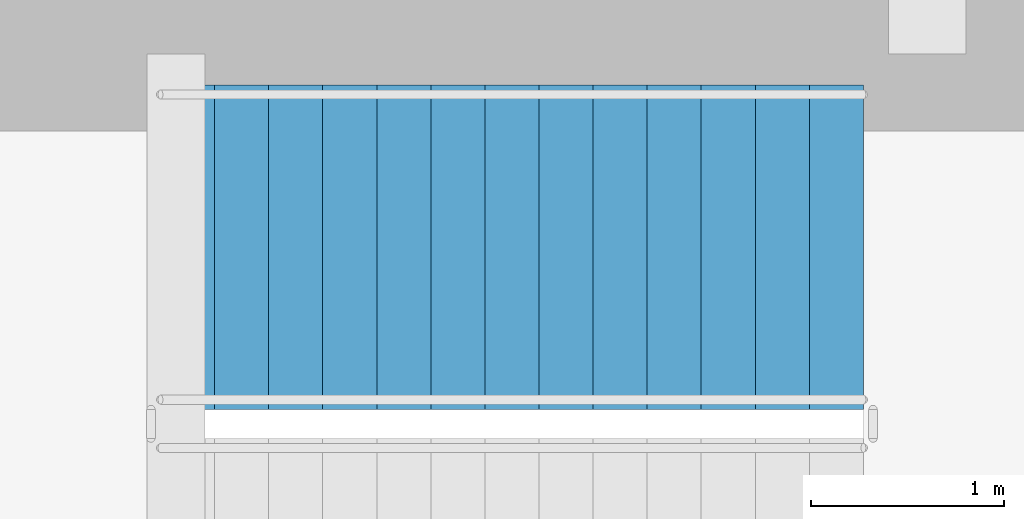
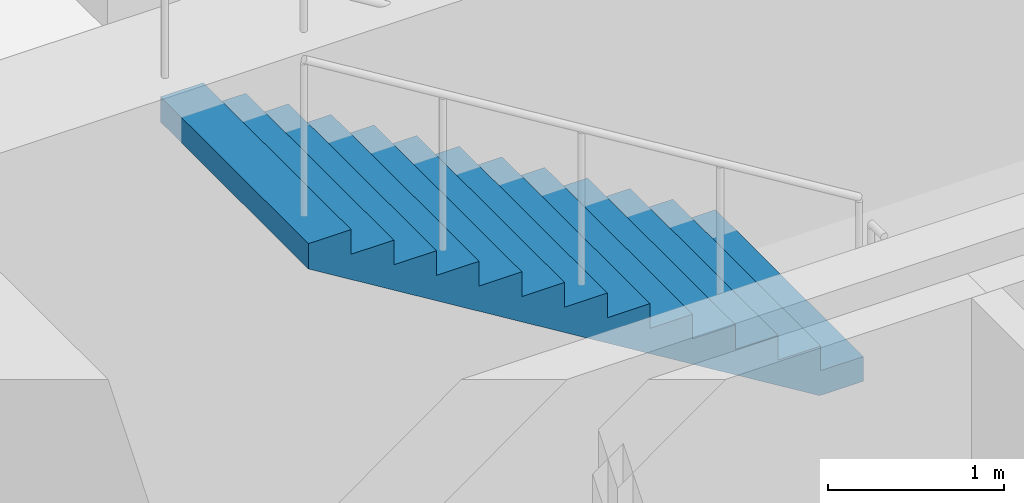
# One storey, part 14 of 17: 1 stair flight, 1 element without a shape of its own.
"""IFC4 building model written with IfcOpenShell, lengths in metres."""

from ifc_helpers import new_model, si_unit, direction, frame, origin, place, context, subcontext, project, spatial, polyline, outline, extrude, material, type_object, element, aggregate, save


model = new_model("IFC4")

# Units and contexts
model_context = context("Model", 3, precision=1e-05, world=origin(), true_north=direction((0.0, 1.0)))
body_context = subcontext(model_context, "Body", "Model", "MODEL_VIEW")
ifc_project = project(units=[si_unit("LENGTHUNIT", "METRE"), si_unit("AREAUNIT", "SQUARE_METRE"), si_unit("VOLUMEUNIT", "CUBIC_METRE"), si_unit("PLANEANGLEUNIT", "RADIAN"), si_unit("MASSUNIT", "GRAM", prefix="KILO")], contexts=[model_context])

# Site, building, storey
site_placement = place(None, origin())
site = spatial("IfcSite", under=ifc_project, at=site_placement, CompositionType="ELEMENT")
building_placement = place(site_placement, origin())
building = spatial("IfcBuilding", under=site, at=building_placement, Name="Kestravale Grand Hotel", CompositionType="ELEMENT")
storey_placement = place(building_placement, frame((0.0, 0.0, 129.800048828125)))
storey = spatial("IfcBuildingStorey", under=building, at=storey_placement, Name="L32", CompositionType="ELEMENT", Elevation=129.800048828125)

# Stair, stair flight
ifc_material_1 = material(Name="Concrete f'c 45 MPa", Category="concrete")
stair_type = type_object("IfcStairType", Name="ST-CORE-480", PredefinedType="HALF_TURN_STAIR", material=ifc_material_1)
stair_placement = place(storey_placement, origin())
stair = element("IfcStair", 1, at=stair_placement, inside=storey, type_object=stair_type, Name="L32 ST-3", PredefinedType="HALF_TURN_STAIR")
ifc_material_2 = material(Name="Concrete f'c 45 MPa", Category="concrete")
stair_flight_type = type_object("IfcStairFlightType", Name="STF-CORE-480", PredefinedType="STRAIGHT", material=ifc_material_2)
stair_flight_placement = place(storey_placement, frame((54.27001953125, 39.320068359375, 2.39990234375), z_axis=(0.0, 0.0, 1.0), x_axis=(-1.0, 0.0, 0.0)))
stair_flight = element("IfcStairFlight", 2, at=stair_flight_placement, type_object=stair_flight_type, Name="ST-3 flight 2", NumberOfRisers=14, NumberOfTreads=13, PredefinedType="STRAIGHT", RiserHeight=0.171428571, TreadLength=0.28, context=body_context, shape_type="SweptSolid", body=[
    extrude(outline(polyline([(0.0, 0.0), (0.0, 0.17138671875), (0.280029296875, 0.17138671875), (0.280029296875, 0.3427734375), (0.56005859375, 0.3427734375), (0.56005859375, 0.514404296875), (0.840087890625, 0.514404296875), (0.840087890625, 0.685791015625), (1.1201171875, 0.685791015625), (1.1201171875, 0.857177734375), (1.39990234375, 0.857177734375), (1.39990234375, 1.028564453125), (1.679931640625, 1.028564453125), (1.679931640625, 1.199951171875), (1.9599609375, 1.199951171875), (1.9599609375, 1.371337890625), (2.239990234375, 1.371337890625), (2.239990234375, 1.54296875), (2.52001953125, 1.54296875), (2.52001953125, 1.71435546875), (2.800048828125, 1.71435546875), (2.800048828125, 1.8857421875), (3.080078125, 1.8857421875), (3.080078125, 2.05712890625), (3.360107421875, 2.05712890625), (3.360107421875, 2.228515625), (3.639892578125, 2.228515625), (3.639892578125, 2.39990234375), (3.639892578125, 2.052734375), (0.287109375, 0.0), (0.0, 0.0)])), frame((0.0, 0.83984375, 0.0), z_axis=(0.0, -1.0, 0.0), x_axis=(1.0, 0.0, 0.0)), (0.0, 0.0, 1.0), 1.679931640625),
])
aggregate(stair, [stair_flight])

save(model, "model.ifc")
